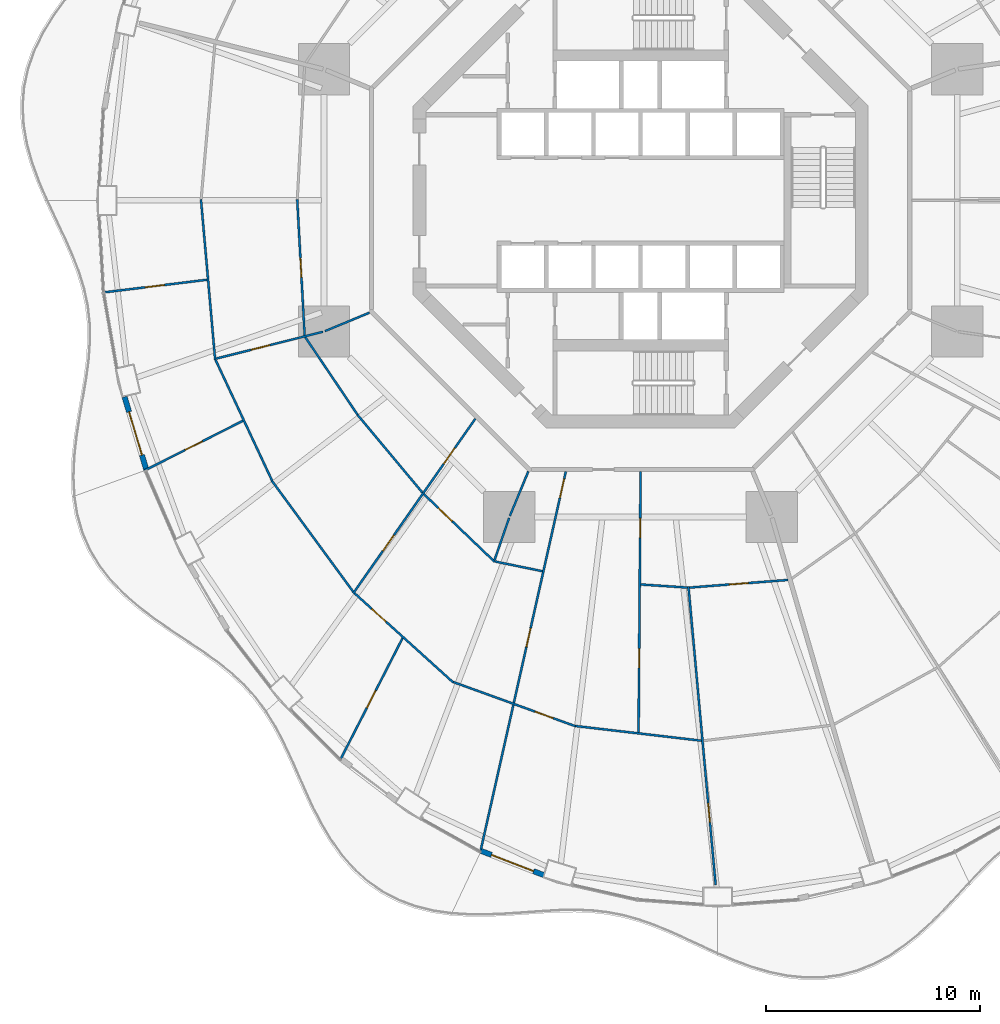
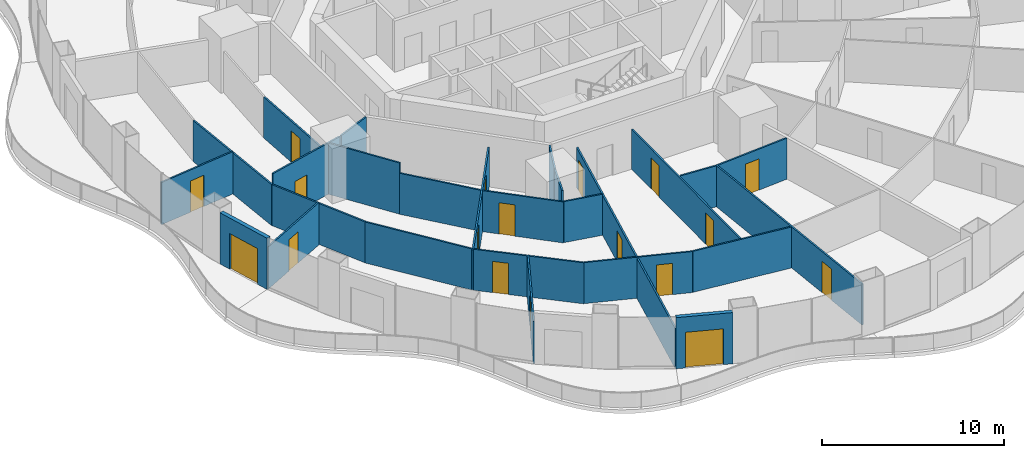
# One storey, part 14 of 22: 26 walls, 18 doors, 18 openings.
"""IFC4 building model written with IfcOpenShell, lengths in metres."""

from ifc_helpers import new_model, si_unit, direction, frame, frame_2d, origin, place, context, subcontext, project, spatial, rectangle, extrude, material, layer, layer_set, type_object, element, fill, save


model = new_model("IFC4")

# Units and contexts
model_context = context("Model", 3, precision=1e-05, world=origin(), true_north=direction((0.0, 1.0)))
body_context = subcontext(model_context, "Body", "Model", "MODEL_VIEW")
ifc_project = project(units=[si_unit("LENGTHUNIT", "METRE"), si_unit("AREAUNIT", "SQUARE_METRE"), si_unit("VOLUMEUNIT", "CUBIC_METRE"), si_unit("PLANEANGLEUNIT", "RADIAN"), si_unit("MASSUNIT", "GRAM", prefix="KILO")], contexts=[model_context])

# Site, building, storey
site_placement = place(None, origin())
site = spatial("IfcSite", under=ifc_project, at=site_placement, CompositionType="ELEMENT")
building_placement = place(site_placement, origin())
building = spatial("IfcBuilding", under=site, at=building_placement, Name="Nagisa Residences", CompositionType="ELEMENT")
storey_placement = place(building_placement, frame((0.0, 0.0, 38.10009765625)))
storey = spatial("IfcBuildingStorey", under=building, at=storey_placement, Name="L08", CompositionType="ELEMENT", Elevation=38.10009765625)

# Wall, opening, door
ifc_material_1 = material(Name="Gypsum board on steel studs", Category="steel")
ifc_layer_1 = layer(ifc_material_1, 0.10009765625)
ifc_layer_set_1 = layer_set([ifc_layer_1], Name="Apartment partition 100")
wall_type_1 = type_object("IfcWallType", Name="Apartment partition 100", PredefinedType="PARTITIONING", material=ifc_layer_set_1)
wall_1_placement = place(storey_placement, frame((-16.032958984375, 0.050048828125, 0.0), z_axis=(0.0, 0.0, 1.0), x_axis=(0.054634315779, -0.998506430395, 0.0)))
wall_1 = element("IfcWall", 1, at=wall_1_placement, inside=storey, type_object=wall_type_1, Name="wall:L08:u54", PredefinedType="PARTITIONING", context=body_context, shape_type="SweptSolid", body=[
    extrude(rectangle(XDim=6.35888671875, YDim=0.10009765625, at=frame_2d((3.179443359375, 0.0))), origin(), (0.0, 0.0, 1.0), 2.755859375),
])
opening_1_placement = place(wall_1_placement, frame((2.75439453125, 0.0, 0.0)))
opening_1 = element("IfcOpeningElement", 2, at=opening_1_placement, cuts=wall_1, Name="Opening L08-U37", PredefinedType="OPENING", context=body_context, shape_type="SweptSolid", body=[
    extrude(rectangle(XDim=0.89990234375, YDim=2.10009765625, at=frame_2d((0.449951171875, 1.050048828125))), frame((0.0, 0.06005859375, 0.0), z_axis=(0.0, -1.0, 0.0), x_axis=(1.0, 0.0, 0.0)), (0.0, 0.0, 1.0), 0.1201171875),
])
ifc_material_2 = material(Name="Timber door set", Category="wood")
door_type_1 = type_object("IfcDoorType", Name="Apartment door 900x2100", OperationType="NOTDEFINED", PredefinedType="DOOR", material=ifc_material_2)
door_1_placement = place(opening_1_placement, origin())
door_1 = element("IfcDoor", 3, at=door_1_placement, inside=storey, type_object=door_type_1, Name="Door to store, Apartment 08B", OperationType="SINGLE_SWING_LEFT", OverallHeight=2.10009765625, OverallWidth=0.89990234375, PredefinedType="DOOR", context=body_context, shape_type="SweptSolid", body=[
    extrude(rectangle(XDim=0.89990234375, YDim=2.10009765625, at=frame_2d((0.449951171875, 1.050048828125))), frame((0.0, 0.02490234375, 0.0), z_axis=(0.0, -1.0, 0.0), x_axis=(1.0, 0.0, 0.0)), (0.0, 0.0, 1.0), 0.050048828125),
])
fill(opening_1, door_1)

# Wall
wall_2_placement = place(storey_placement, frame((-20.527099609375, 0.0498046875, 0.0), z_axis=(0.0, 0.0, 1.0), x_axis=(0.088135127406, -0.996108527881, 0.0)))
element("IfcWall", 4, at=wall_2_placement, inside=storey, type_object=wall_type_1, Name="wall:L08:u55", PredefinedType="PARTITIONING", context=body_context, shape_type="SweptSolid", body=[
    extrude(rectangle(XDim=7.529052734375, YDim=0.10009765625, at=frame_2d((3.7646484375, 0.0))), origin(), (0.0, 0.0, 1.0), 2.755859375),
])

# Wall, opening, door
wall_3_placement = place(storey_placement, frame((-20.244873046875, -3.7060546875, 0.0), z_axis=(0.0, 0.0, 1.0), x_axis=(-0.992575966227, -0.121626277047, 0.0)))
wall_3 = element("IfcWall", 5, at=wall_3_placement, inside=storey, type_object=wall_type_1, Name="wall:L08:u56", PredefinedType="PARTITIONING", context=body_context, shape_type="SweptSolid", body=[
    extrude(rectangle(XDim=4.90380859375, YDim=0.10009765625, at=frame_2d((2.451904296875, 0.0))), origin(), (0.0, 0.0, 1.0), 2.8369140625),
])
opening_2_placement = place(wall_3_placement, frame((2.001708984375, 0.0, 0.0)))
opening_2 = element("IfcOpeningElement", 6, at=opening_2_placement, cuts=wall_3, Name="Opening L08-U36", PredefinedType="OPENING", context=body_context, shape_type="SweptSolid", body=[
    extrude(rectangle(XDim=0.89990234375, YDim=2.10009765625, at=frame_2d((0.449951171875, 1.050048828125))), frame((0.0, 0.06005859375, 0.0), z_axis=(0.0, -1.0, 0.0), x_axis=(1.0, 0.0, 0.0)), (0.0, 0.0, 1.0), 0.1201171875),
])
door_2_placement = place(opening_2_placement, frame((0.89990234375, 0.0, 0.0), x_axis=(-1.0, 0.0, 0.0)))
door_2 = element("IfcDoor", 7, at=door_2_placement, inside=storey, type_object=door_type_1, Name="Door to master bedroom, Apartment 08B", OperationType="SINGLE_SWING_LEFT", OverallHeight=2.10009765625, OverallWidth=0.89990234375, PredefinedType="DOOR", context=body_context, shape_type="SweptSolid", body=[
    extrude(rectangle(XDim=0.89990234375, YDim=2.10009765625, at=frame_2d((0.449951171875, 1.050048828125))), frame((0.0, 0.02490234375, 0.0), z_axis=(0.0, -1.0, 0.0), x_axis=(1.0, 0.0, 0.0)), (0.0, 0.0, 1.0), 0.050048828125),
])
fill(opening_2, door_2)

# Wall
wall_4_placement = place(storey_placement, frame((-12.6572265625, -5.24267578125, 0.0), z_axis=(0.0, 0.0, 1.0), x_axis=(-0.923864733477, -0.382719158442, 0.0)))
element("IfcWall", 8, at=wall_4_placement, inside=storey, type_object=wall_type_1, Name="wall:L08:u57", PredefinedType="PARTITIONING", context=body_context, shape_type="SweptSolid", body=[
    extrude(rectangle(XDim=2.25, YDim=0.10009765625, at=frame_2d((1.125, 0.0))), origin(), (0.0, 0.0, 1.0), 3.43994140625),
])

# Wall, opening, door
wall_5_placement = place(storey_placement, frame((-14.83056640625, -6.135009765625, 0.0), z_axis=(0.0, 0.0, 1.0), x_axis=(-0.96988230015, -0.243574062362, 0.0)))
wall_5 = element("IfcWall", 9, at=wall_5_placement, inside=storey, type_object=wall_type_1, Name="wall:L08:u58", PredefinedType="PARTITIONING", context=body_context, shape_type="SweptSolid", body=[
    extrude(rectangle(XDim=5.14404296875, YDim=0.10009765625, at=frame_2d((2.572021484375, 0.0))), origin(), (0.0, 0.0, 1.0), 3.43994140625),
])
opening_3_placement = place(wall_5_placement, frame((2.561279296875, 0.0, 0.0)))
opening_3 = element("IfcOpeningElement", 10, at=opening_3_placement, cuts=wall_5, Name="Opening L08-U35", PredefinedType="OPENING", context=body_context, shape_type="SweptSolid", body=[
    extrude(rectangle(XDim=0.89990234375, YDim=2.10009765625, at=frame_2d((0.449951171875, 1.050048828125))), frame((0.0, 0.06005859375, 0.0), z_axis=(0.0, -1.0, 0.0), x_axis=(1.0, 0.0, 0.0)), (0.0, 0.0, 1.0), 0.1201171875),
])
door_3_placement = place(opening_3_placement, frame((0.89990234375, 0.0, 0.0), x_axis=(-1.0, 0.0, 0.0)))
door_3 = element("IfcDoor", 11, at=door_3_placement, inside=storey, type_object=door_type_1, Name="Door to dining room, Apartment 08B", OperationType="SINGLE_SWING_RIGHT", OverallHeight=2.10009765625, OverallWidth=0.89990234375, PredefinedType="DOOR", context=body_context, shape_type="SweptSolid", body=[
    extrude(rectangle(XDim=0.89990234375, YDim=2.10009765625, at=frame_2d((0.449951171875, 1.050048828125))), frame((0.0, 0.02490234375, 0.0), z_axis=(0.0, -1.0, 0.0), x_axis=(1.0, 0.0, 0.0)), (0.0, 0.0, 1.0), 0.050048828125),
])
fill(opening_3, door_3)

# Walls
wall_6_placement = place(storey_placement, frame((-15.655029296875, -6.390625, 0.0), z_axis=(0.0, 0.0, 1.0), x_axis=(0.559126445155, -0.82908239538, 0.0)))
element("IfcWall", 12, at=wall_6_placement, inside=storey, type_object=wall_type_1, Name="wall:L08:u59", PredefinedType="PARTITIONING", context=body_context, shape_type="SweptSolid", body=[
    extrude(rectangle(XDim=4.358154296875, YDim=0.10009765625, at=frame_2d((2.17919921875, 0.0))), origin(), (0.0, 0.0, 1.0), 3.43994140625),
])
wall_7_placement = place(storey_placement, frame((-19.8466796875, -7.4453125, 0.0), z_axis=(0.0, 0.0, 1.0), x_axis=(0.423892287987, -0.905712607942, 0.0)))
element("IfcWall", 13, at=wall_7_placement, inside=storey, type_object=wall_type_1, Name="wall:L08:u60", PredefinedType="PARTITIONING", context=body_context, shape_type="SweptSolid", body=[
    extrude(rectangle(XDim=6.237548828125, YDim=0.10009765625, at=frame_2d((3.11865234375, 0.0))), origin(), (0.0, 0.0, 1.0), 2.755859375),
])

# Wall, opening, door
wall_8_placement = place(storey_placement, frame((-18.5693359375, -10.29248046875, 0.0), z_axis=(0.0, 0.0, 1.0), x_axis=(-0.892519131357, -0.451009534446, 0.0)))
wall_8 = element("IfcWall", 14, at=wall_8_placement, inside=storey, type_object=wall_type_1, Name="wall:L08:u61", PredefinedType="PARTITIONING", context=body_context, shape_type="SweptSolid", body=[
    extrude(rectangle(XDim=5.139892578125, YDim=0.10009765625, at=frame_2d((2.56982421875, 0.0))), origin(), (0.0, 0.0, 1.0), 2.8369140625),
])
opening_4_placement = place(wall_8_placement, frame((2.119873046875, 0.0, 0.0)))
opening_4 = element("IfcOpeningElement", 15, at=opening_4_placement, cuts=wall_8, Name="Opening L08-U33", PredefinedType="OPENING", context=body_context, shape_type="SweptSolid", body=[
    extrude(rectangle(XDim=0.89990234375, YDim=2.10009765625, at=frame_2d((0.449951171875, 1.050048828125))), frame((0.0, 0.06005859375, 0.0), z_axis=(0.0, -1.0, 0.0), x_axis=(1.0, 0.0, 0.0)), (0.0, 0.0, 1.0), 0.1201171875),
])
door_4_placement = place(opening_4_placement, frame((0.89990234375, 0.0, 0.0), x_axis=(-1.0, 0.0, 0.0)))
door_4 = element("IfcDoor", 16, at=door_4_placement, inside=storey, type_object=door_type_1, Name="Door to study, Apartment 08B", OperationType="SINGLE_SWING_RIGHT", OverallHeight=2.10009765625, OverallWidth=0.89990234375, PredefinedType="DOOR", context=body_context, shape_type="SweptSolid", body=[
    extrude(rectangle(XDim=0.89990234375, YDim=2.10009765625, at=frame_2d((0.449951171875, 1.050048828125))), frame((0.0, 0.02490234375, 0.0), z_axis=(0.0, -1.0, 0.0), x_axis=(1.0, 0.0, 0.0)), (0.0, 0.0, 1.0), 0.050048828125),
])
fill(opening_4, door_4)

# Walls
wall_9_placement = place(storey_placement, frame((-13.222412109375, -10.0068359375, 0.0), z_axis=(0.0, 0.0, 1.0), x_axis=(0.640807748916, -0.767701393075, 0.0)))
element("IfcWall", 17, at=wall_9_placement, inside=storey, type_object=wall_type_1, Name="wall:L08:u62", PredefinedType="PARTITIONING", context=body_context, shape_type="SweptSolid", body=[
    extrude(rectangle(XDim=4.73681640625, YDim=0.10009765625, at=frame_2d((2.368408203125, 0.0))), origin(), (0.0, 0.0, 1.0), 2.755859375),
])
wall_10_placement = place(storey_placement, frame((-17.2109375, -13.099609375, 0.0), z_axis=(0.0, 0.0, 1.0), x_axis=(0.591206785834, -0.806520016109, 0.0)))
element("IfcWall", 18, at=wall_10_placement, inside=storey, type_object=wall_type_1, Name="wall:L08:u63", PredefinedType="PARTITIONING", context=body_context, shape_type="SweptSolid", body=[
    extrude(rectangle(XDim=6.409912109375, YDim=0.10009765625, at=frame_2d((3.205078125, 0.0))), origin(), (0.0, 0.0, 1.0), 2.755859375),
])

# Wall, openings, doors
wall_11_placement = place(storey_placement, frame((-7.71533203125, -10.193359375, 0.0), z_axis=(0.0, 0.0, 1.0), x_axis=(-0.573126502256, -0.819466907454, 0.0)))
wall_11 = element("IfcWall", 19, at=wall_11_placement, inside=storey, type_object=wall_type_1, Name="wall:L08:u64", PredefinedType="PARTITIONING", context=body_context, shape_type="SweptSolid", body=[
    extrude(rectangle(XDim=9.954345703125, YDim=0.10009765625, at=frame_2d((4.97705078125, 0.0))), origin(), (0.0, 0.0, 1.0), 2.68701171875),
])
opening_5_placement = place(wall_11_placement, frame((6.630615234375, 0.0, 0.0)))
opening_5 = element("IfcOpeningElement", 20, at=opening_5_placement, cuts=wall_11, Name="Opening L08-U32", PredefinedType="OPENING", context=body_context, shape_type="SweptSolid", body=[
    extrude(rectangle(XDim=0.89990234375, YDim=2.10009765625, at=frame_2d((0.449951171875, 1.050048828125))), frame((0.0, 0.06005859375, 0.0), z_axis=(0.0, -1.0, 0.0), x_axis=(1.0, 0.0, 0.0)), (0.0, 0.0, 1.0), 0.1201171875),
])
opening_6_placement = place(wall_11_placement, frame((1.678466796875, 0.0, 0.0)))
opening_6 = element("IfcOpeningElement", 21, at=opening_6_placement, cuts=wall_11, Name="Opening L08-U34", PredefinedType="OPENING", context=body_context, shape_type="SweptSolid", body=[
    extrude(rectangle(XDim=0.89990234375, YDim=2.10009765625, at=frame_2d((0.449951171875, 1.050048828125))), frame((0.0, 0.06005859375, 0.0), z_axis=(0.0, -1.0, 0.0), x_axis=(1.0, 0.0, 0.0)), (0.0, 0.0, 1.0), 0.1201171875),
])
door_5_placement = place(opening_5_placement, frame((0.89990234375, 0.0, 0.0), x_axis=(-1.0, 0.0, 0.0)))
door_5 = element("IfcDoor", 22, at=door_5_placement, inside=storey, type_object=door_type_1, Name="Door to family room, Apartment 08B", OperationType="SINGLE_SWING_LEFT", OverallHeight=2.10009765625, OverallWidth=0.89990234375, PredefinedType="DOOR", context=body_context, shape_type="SweptSolid", body=[
    extrude(rectangle(XDim=0.89990234375, YDim=2.10009765625, at=frame_2d((0.449951171875, 1.050048828125))), frame((0.0, 0.02490234375, 0.0), z_axis=(0.0, -1.0, 0.0), x_axis=(1.0, 0.0, 0.0)), (0.0, 0.0, 1.0), 0.050048828125),
])
fill(opening_5, door_5)
door_6_placement = place(opening_6_placement, frame((0.89990234375, 0.0, 0.0), x_axis=(-1.0, 0.0, 0.0)))
door_6 = element("IfcDoor", 23, at=door_6_placement, inside=storey, type_object=door_type_1, Name="Door to store, Apartment 08B", OperationType="SINGLE_SWING_LEFT", OverallHeight=2.10009765625, OverallWidth=0.89990234375, PredefinedType="DOOR", context=body_context, shape_type="SweptSolid", body=[
    extrude(rectangle(XDim=0.89990234375, YDim=2.10009765625, at=frame_2d((0.449951171875, 1.050048828125))), frame((0.0, 0.02490234375, 0.0), z_axis=(0.0, -1.0, 0.0), x_axis=(1.0, 0.0, 0.0)), (0.0, 0.0, 1.0), 0.050048828125),
])
fill(opening_6, door_6)

# Wall, opening, door
wall_12_placement = place(storey_placement, frame((-10.118896484375, -13.716064453125, 0.0), z_axis=(0.0, 0.0, 1.0), x_axis=(0.722763212502, -0.69109575216, 0.0)))
wall_12 = element("IfcWall", 24, at=wall_12_placement, inside=storey, type_object=wall_type_1, Name="wall:L08:u65", PredefinedType="PARTITIONING", context=body_context, shape_type="SweptSolid", body=[
    extrude(rectangle(XDim=4.587158203125, YDim=0.10009765625, at=frame_2d((2.29345703125, 0.0))), origin(), (0.0, 0.0, 1.0), 2.755859375),
])
opening_7_placement = place(wall_12_placement, frame((0.9375, 0.0, 0.0)))
opening_7 = element("IfcOpeningElement", 25, at=opening_7_placement, cuts=wall_12, Name="Opening L08-U31", PredefinedType="OPENING", context=body_context, shape_type="SweptSolid", body=[
    extrude(rectangle(XDim=0.89990234375, YDim=2.10009765625, at=frame_2d((0.449951171875, 1.050048828125))), frame((0.0, 0.06005859375, 0.0), z_axis=(0.0, -1.0, 0.0), x_axis=(1.0, 0.0, 0.0)), (0.0, 0.0, 1.0), 0.1201171875),
])
door_7_placement = place(opening_7_placement, origin())
door_7 = element("IfcDoor", 26, at=door_7_placement, inside=storey, type_object=door_type_1, Name="Door to laundry, Apartment 08B", OperationType="SINGLE_SWING_LEFT", OverallHeight=2.10009765625, OverallWidth=0.89990234375, PredefinedType="DOOR", context=body_context, shape_type="SweptSolid", body=[
    extrude(rectangle(XDim=0.89990234375, YDim=2.10009765625, at=frame_2d((0.449951171875, 1.050048828125))), frame((0.0, 0.02490234375, 0.0), z_axis=(0.0, -1.0, 0.0), x_axis=(1.0, 0.0, 0.0)), (0.0, 0.0, 1.0), 0.050048828125),
])
fill(opening_7, door_7)

wall_13_placement = place(storey_placement, frame((-13.354736328125, -18.34326171875, 0.0), z_axis=(0.0, 0.0, 1.0), x_axis=(0.741720189244, -0.670709445936, 0.0)))
wall_13 = element("IfcWall", 27, at=wall_13_placement, inside=storey, type_object=wall_type_1, Name="wall:L08:u66", PredefinedType="PARTITIONING", context=body_context, shape_type="SweptSolid", body=[
    extrude(rectangle(XDim=6.209228515625, YDim=0.10009765625, at=frame_2d((3.1044921875, 0.0))), origin(), (0.0, 0.0, 1.0), 2.755859375),
])
opening_8_placement = place(wall_13_placement, frame((1.077392578125, 0.0, 0.0)))
opening_8 = element("IfcOpeningElement", 28, at=opening_8_placement, cuts=wall_13, Name="Opening L08-U27", PredefinedType="OPENING", context=body_context, shape_type="SweptSolid", body=[
    extrude(rectangle(XDim=0.89990234375, YDim=2.10009765625, at=frame_2d((0.449951171875, 1.050048828125))), frame((0.0, 0.06005859375, 0.0), z_axis=(0.0, -1.0, 0.0), x_axis=(1.0, 0.0, 0.0)), (0.0, 0.0, 1.0), 0.1201171875),
])
door_8_placement = place(opening_8_placement, frame((0.89990234375, 0.0, 0.0), x_axis=(-1.0, 0.0, 0.0)))
door_8 = element("IfcDoor", 29, at=door_8_placement, inside=storey, type_object=door_type_1, Name="Door to family room, Apartment 08B", OperationType="SINGLE_SWING_RIGHT", OverallHeight=2.10009765625, OverallWidth=0.89990234375, PredefinedType="DOOR", context=body_context, shape_type="SweptSolid", body=[
    extrude(rectangle(XDim=0.89990234375, YDim=2.10009765625, at=frame_2d((0.449951171875, 1.050048828125))), frame((0.0, 0.02490234375, 0.0), z_axis=(0.0, -1.0, 0.0), x_axis=(1.0, 0.0, 0.0)), (0.0, 0.0, 1.0), 0.050048828125),
])
fill(opening_8, door_8)

wall_14_placement = place(storey_placement, frame((-11.11181640625, -20.4365234375, 0.0), z_axis=(0.0, 0.0, 1.0), x_axis=(-0.455901610863, -0.890030179945, 0.0)))
wall_14 = element("IfcWall", 30, at=wall_14_placement, inside=storey, type_object=wall_type_1, Name="wall:L08:u67", PredefinedType="PARTITIONING", context=body_context, shape_type="SweptSolid", body=[
    extrude(rectangle(XDim=6.413818359375, YDim=0.10009765625, at=frame_2d((3.20703125, 0.0))), origin(), (0.0, 0.0, 1.0), 2.8369140625),
])
opening_9_placement = place(wall_14_placement, frame((2.7568359375, 0.0, 0.0)))
opening_9 = element("IfcOpeningElement", 31, at=opening_9_placement, cuts=wall_14, Name="Opening L08-U28", PredefinedType="OPENING", context=body_context, shape_type="SweptSolid", body=[
    extrude(rectangle(XDim=0.89990234375, YDim=2.10009765625, at=frame_2d((0.449951171875, 1.050048828125))), frame((0.0, 0.06005859375, 0.0), z_axis=(0.0, -1.0, 0.0), x_axis=(1.0, 0.0, 0.0)), (0.0, 0.0, 1.0), 0.1201171875),
])
door_9_placement = place(opening_9_placement, origin())
door_9 = element("IfcDoor", 32, at=door_9_placement, inside=storey, type_object=door_type_1, Name="Door to master bedroom, Apartment 08B", OperationType="SINGLE_SWING_RIGHT", OverallHeight=2.10009765625, OverallWidth=0.89990234375, PredefinedType="DOOR", context=body_context, shape_type="SweptSolid", body=[
    extrude(rectangle(XDim=0.89990234375, YDim=2.10009765625, at=frame_2d((0.449951171875, 1.050048828125))), frame((0.0, 0.02490234375, 0.0), z_axis=(0.0, -1.0, 0.0), x_axis=(1.0, 0.0, 0.0)), (0.0, 0.0, 1.0), 0.050048828125),
])
fill(opening_9, door_9)

# Walls
wall_15_placement = place(storey_placement, frame((-5.24267578125, -12.6572265625, 0.0), z_axis=(0.0, 0.0, 1.0), x_axis=(-0.382719158442, -0.923864733477, 0.0)))
element("IfcWall", 33, at=wall_15_placement, inside=storey, type_object=wall_type_1, Name="wall:L08:u68", PredefinedType="PARTITIONING", context=body_context, shape_type="SweptSolid", body=[
    extrude(rectangle(XDim=2.25, YDim=0.10009765625, at=frame_2d((1.125, 0.0))), origin(), (0.0, 0.0, 1.0), 3.43994140625),
])
wall_16_placement = place(storey_placement, frame((-6.139404296875, -14.829833984375, 0.0), z_axis=(0.0, 0.0, 1.0), x_axis=(-0.327246993321, -0.944938836837, 0.0)))
element("IfcWall", 34, at=wall_16_placement, inside=storey, type_object=wall_type_1, Name="wall:L08:u69", PredefinedType="PARTITIONING", context=body_context, shape_type="SweptSolid", body=[
    extrude(rectangle(XDim=2.089599609375, YDim=0.10009765625, at=frame_2d((1.044921875, 0.0))), origin(), (0.0, 0.0, 1.0), 3.43994140625),
])
wall_17_placement = place(storey_placement, frame((-6.79052734375, -16.861572265625, 0.0), z_axis=(0.0, 0.0, 1.0), x_axis=(0.979581941859, -0.201045316246, 0.0)))
element("IfcWall", 35, at=wall_17_placement, inside=storey, type_object=wall_type_1, Name="wall:L08:u70", PredefinedType="PARTITIONING", context=body_context, shape_type="SweptSolid", body=[
    extrude(rectangle(XDim=2.25634765625, YDim=0.10009765625, at=frame_2d((1.128173828125, 0.0))), origin(), (0.0, 0.0, 1.0), 2.755859375),
])

# Wall, opening, door
wall_18_placement = place(storey_placement, frame((-8.7392578125, -22.4912109375, 0.0), z_axis=(0.0, 0.0, 1.0), x_axis=(0.940401691072, -0.340065669288, 0.0)))
wall_18 = element("IfcWall", 36, at=wall_18_placement, inside=storey, type_object=wall_type_1, Name="wall:L08:u71", PredefinedType="PARTITIONING", context=body_context, shape_type="SweptSolid", body=[
    extrude(rectangle(XDim=6.067138671875, YDim=0.10009765625, at=frame_2d((3.03369140625, 0.0))), origin(), (0.0, 0.0, 1.0), 2.755859375),
])
opening_10_placement = place(wall_18_placement, frame((4.05029296875, 0.0, 0.0)))
opening_10 = element("IfcOpeningElement", 37, at=opening_10_placement, cuts=wall_18, Name="Opening L08-U29", PredefinedType="OPENING", context=body_context, shape_type="SweptSolid", body=[
    extrude(rectangle(XDim=0.89990234375, YDim=2.10009765625, at=frame_2d((0.449951171875, 1.050048828125))), frame((0.0, 0.06005859375, 0.0), z_axis=(0.0, -1.0, 0.0), x_axis=(1.0, 0.0, 0.0)), (0.0, 0.0, 1.0), 0.1201171875),
])
door_10_placement = place(opening_10_placement, frame((0.89990234375, 0.0, 0.0), x_axis=(-1.0, 0.0, 0.0)))
door_10 = element("IfcDoor", 38, at=door_10_placement, inside=storey, type_object=door_type_1, Name="Door to dining room, Apartment 08B", OperationType="SINGLE_SWING_RIGHT", OverallHeight=2.10009765625, OverallWidth=0.89990234375, PredefinedType="DOOR", context=body_context, shape_type="SweptSolid", body=[
    extrude(rectangle(XDim=0.89990234375, YDim=2.10009765625, at=frame_2d((0.449951171875, 1.050048828125))), frame((0.0, 0.02490234375, 0.0), z_axis=(0.0, -1.0, 0.0), x_axis=(1.0, 0.0, 0.0)), (0.0, 0.0, 1.0), 0.050048828125),
])
fill(opening_10, door_10)

# Wall, openings, doors
wall_19_placement = place(storey_placement, frame((-3.49169921875, -12.662353515625, 0.0), z_axis=(0.0, 0.0, 1.0), x_axis=(-0.219268088006, -0.975664648115, 0.0)))
wall_19 = element("IfcWall", 39, at=wall_19_placement, inside=storey, type_object=wall_type_1, Name="wall:L08:u72", PredefinedType="PARTITIONING", context=body_context, shape_type="SweptSolid", body=[
    extrude(rectangle(XDim=18.230224609375, YDim=0.10009765625, at=frame_2d((9.115234375, 0.0))), origin(), (0.0, 0.0, 1.0), 2.68701171875),
])
opening_11_placement = place(wall_19_placement, frame((0.35009765625, 0.0, 0.0)))
opening_11 = element("IfcOpeningElement", 40, at=opening_11_placement, cuts=wall_19, Name="Opening L08-U22", PredefinedType="OPENING", context=body_context, shape_type="SweptSolid", body=[
    extrude(rectangle(XDim=0.89990234375, YDim=2.10009765625, at=frame_2d((0.449951171875, 1.050048828125))), frame((0.0, 0.06005859375, 0.0), z_axis=(0.0, -1.0, 0.0), x_axis=(1.0, 0.0, 0.0)), (0.0, 0.0, 1.0), 0.1201171875),
])
opening_12_placement = place(wall_19_placement, frame((7.49658203125, 0.0, 0.0)))
opening_12 = element("IfcOpeningElement", 41, at=opening_12_placement, cuts=wall_19, Name="Opening L08-U24", PredefinedType="OPENING", context=body_context, shape_type="SweptSolid", body=[
    extrude(rectangle(XDim=0.89990234375, YDim=2.10009765625, at=frame_2d((0.449951171875, 1.050048828125))), frame((0.0, 0.06005859375, 0.0), z_axis=(0.0, -1.0, 0.0), x_axis=(1.0, 0.0, 0.0)), (0.0, 0.0, 1.0), 0.1201171875),
])
door_11_placement = place(opening_11_placement, frame((0.89990234375, 0.0, 0.0), x_axis=(-1.0, 0.0, 0.0)))
door_11 = element("IfcDoor", 42, at=door_11_placement, inside=storey, type_object=door_type_1, Name="Door to family bathroom, Apartment 08B", OperationType="SINGLE_SWING_LEFT", OverallHeight=2.10009765625, OverallWidth=0.89990234375, PredefinedType="DOOR", context=body_context, shape_type="SweptSolid", body=[
    extrude(rectangle(XDim=0.89990234375, YDim=2.10009765625, at=frame_2d((0.449951171875, 1.050048828125))), frame((0.0, 0.02490234375, 0.0), z_axis=(0.0, -1.0, 0.0), x_axis=(1.0, 0.0, 0.0)), (0.0, 0.0, 1.0), 0.050048828125),
])
fill(opening_11, door_11)
door_12_placement = place(opening_12_placement, frame((0.89990234375, 0.0, 0.0), x_axis=(-1.0, 0.0, 0.0)))
door_12 = element("IfcDoor", 43, at=door_12_placement, inside=storey, type_object=door_type_1, Name="Door to dining room, Apartment 08B", OperationType="SINGLE_SWING_LEFT", OverallHeight=2.10009765625, OverallWidth=0.89990234375, PredefinedType="DOOR", context=body_context, shape_type="SweptSolid", body=[
    extrude(rectangle(XDim=0.89990234375, YDim=2.10009765625, at=frame_2d((0.449951171875, 1.050048828125))), frame((0.0, 0.02490234375, 0.0), z_axis=(0.0, -1.0, 0.0), x_axis=(1.0, 0.0, 0.0)), (0.0, 0.0, 1.0), 0.050048828125),
])
fill(opening_12, door_12)

# Wall
wall_20_placement = place(storey_placement, frame((-3.03125, -24.543212890625, 0.0), z_axis=(0.0, 0.0, 1.0), x_axis=(0.993255612046, -0.115945198862, 0.0)))
element("IfcWall", 44, at=wall_20_placement, inside=storey, type_object=wall_type_1, Name="wall:L08:u73", PredefinedType="PARTITIONING", context=body_context, shape_type="SweptSolid", body=[
    extrude(rectangle(XDim=5.91259765625, YDim=0.10009765625, at=frame_2d((2.956298828125, 0.0))), origin(), (0.0, 0.0, 1.0), 2.755859375),
])

# Wall, openings, doors
wall_21_placement = place(storey_placement, frame((-0.000732421875, -12.664794921875, 0.0), z_axis=(0.0, 0.0, 1.0), x_axis=(-0.007702417287, -0.999970335944, 0.0)))
wall_21 = element("IfcWall", 45, at=wall_21_placement, inside=storey, type_object=wall_type_1, Name="wall:L08:u74", PredefinedType="PARTITIONING", context=body_context, shape_type="SweptSolid", body=[
    extrude(rectangle(XDim=12.17138671875, YDim=0.10009765625, at=frame_2d((6.085693359375, 0.0))), origin(), (0.0, 0.0, 1.0), 2.68701171875),
])
opening_13_placement = place(wall_21_placement, frame((2.182861328125, 0.0, 0.0)))
opening_13 = element("IfcOpeningElement", 46, at=opening_13_placement, cuts=wall_21, Name="Opening L08-U23", PredefinedType="OPENING", context=body_context, shape_type="SweptSolid", body=[
    extrude(rectangle(XDim=0.89990234375, YDim=2.10009765625, at=frame_2d((0.449951171875, 1.050048828125))), frame((0.0, 0.06005859375, 0.0), z_axis=(0.0, -1.0, 0.0), x_axis=(1.0, 0.0, 0.0)), (0.0, 0.0, 1.0), 0.1201171875),
])
opening_14_placement = place(wall_21_placement, frame((8.268798828125, 0.0, 0.0)))
opening_14 = element("IfcOpeningElement", 47, at=opening_14_placement, cuts=wall_21, Name="Opening L08-U25", PredefinedType="OPENING", context=body_context, shape_type="SweptSolid", body=[
    extrude(rectangle(XDim=0.89990234375, YDim=2.10009765625, at=frame_2d((0.449951171875, 1.050048828125))), frame((0.0, 0.06005859375, 0.0), z_axis=(0.0, -1.0, 0.0), x_axis=(1.0, 0.0, 0.0)), (0.0, 0.0, 1.0), 0.1201171875),
])
door_13_placement = place(opening_13_placement, origin())
door_13 = element("IfcDoor", 48, at=door_13_placement, inside=storey, type_object=door_type_1, Name="Door to laundry, Apartment 08B", OperationType="SINGLE_SWING_LEFT", OverallHeight=2.10009765625, OverallWidth=0.89990234375, PredefinedType="DOOR", context=body_context, shape_type="SweptSolid", body=[
    extrude(rectangle(XDim=0.89990234375, YDim=2.10009765625, at=frame_2d((0.449951171875, 1.050048828125))), frame((0.0, 0.02490234375, 0.0), z_axis=(0.0, -1.0, 0.0), x_axis=(1.0, 0.0, 0.0)), (0.0, 0.0, 1.0), 0.050048828125),
])
fill(opening_13, door_13)
door_14_placement = place(opening_14_placement, origin())
door_14 = element("IfcDoor", 49, at=door_14_placement, inside=storey, type_object=door_type_1, Name="Door to family bathroom, Apartment 08B", OperationType="SINGLE_SWING_LEFT", OverallHeight=2.10009765625, OverallWidth=0.89990234375, PredefinedType="DOOR", context=body_context, shape_type="SweptSolid", body=[
    extrude(rectangle(XDim=0.89990234375, YDim=2.10009765625, at=frame_2d((0.449951171875, 1.050048828125))), frame((0.0, 0.02490234375, 0.0), z_axis=(0.0, -1.0, 0.0), x_axis=(1.0, 0.0, 0.0)), (0.0, 0.0, 1.0), 0.050048828125),
])
fill(opening_14, door_14)

# Wall
wall_22_placement = place(storey_placement, frame((0.008544921875, -17.933837890625, 0.0), z_axis=(0.0, 0.0, 1.0), x_axis=(0.997794542617, -0.066378089183, 0.0)))
element("IfcWall", 50, at=wall_22_placement, inside=storey, type_object=wall_type_1, Name="wall:L08:u75", PredefinedType="PARTITIONING", context=body_context, shape_type="SweptSolid", body=[
    extrude(rectangle(XDim=2.184814453125, YDim=0.10009765625, at=frame_2d((1.09228515625, 0.0))), origin(), (0.0, 0.0, 1.0), 2.755859375),
])

# Wall, opening, door
wall_23_placement = place(storey_placement, frame((2.23388671875, -18.032470703125, 0.0), z_axis=(0.0, 0.0, 1.0), x_axis=(0.090891502968, -0.995860800859, 0.0)))
wall_23 = element("IfcWall", 51, at=wall_23_placement, inside=storey, type_object=wall_type_1, Name="wall:L08:u76", PredefinedType="PARTITIONING", context=body_context, shape_type="SweptSolid", body=[
    extrude(rectangle(XDim=13.983642578125, YDim=0.10009765625, at=frame_2d((6.99169921875, 0.0))), origin(), (0.0, 0.0, 1.0), 2.755859375),
])
opening_15_placement = place(wall_23_placement, frame((10.157958984375, 0.0, 0.0)))
opening_15 = element("IfcOpeningElement", 52, at=opening_15_placement, cuts=wall_23, Name="Opening L08-U30", PredefinedType="OPENING", context=body_context, shape_type="SweptSolid", body=[
    extrude(rectangle(XDim=0.89990234375, YDim=2.10009765625, at=frame_2d((0.449951171875, 1.050048828125))), frame((0.0, 0.06005859375, 0.0), z_axis=(0.0, -1.0, 0.0), x_axis=(1.0, 0.0, 0.0)), (0.0, 0.0, 1.0), 0.1201171875),
])
door_15_placement = place(opening_15_placement, origin())
door_15 = element("IfcDoor", 53, at=door_15_placement, inside=storey, type_object=door_type_1, Name="Door to master bedroom, Apartment 08B", OperationType="SINGLE_SWING_RIGHT", OverallHeight=2.10009765625, OverallWidth=0.89990234375, PredefinedType="DOOR", context=body_context, shape_type="SweptSolid", body=[
    extrude(rectangle(XDim=0.89990234375, YDim=2.10009765625, at=frame_2d((0.449951171875, 1.050048828125))), frame((0.0, 0.02490234375, 0.0), z_axis=(0.0, -1.0, 0.0), x_axis=(1.0, 0.0, 0.0)), (0.0, 0.0, 1.0), 0.050048828125),
])
fill(opening_15, door_15)

wall_24_placement = place(storey_placement, frame((2.288330078125, -18.078369140625, 0.0), z_axis=(0.0, 0.0, 1.0), x_axis=(0.99701850123, 0.077162868047, 0.0)))
wall_24 = element("IfcWall", 54, at=wall_24_placement, inside=storey, type_object=wall_type_1, Name="wall:L08:u77", PredefinedType="PARTITIONING", context=body_context, shape_type="SweptSolid", body=[
    extrude(rectangle(XDim=4.603515625, YDim=0.10009765625, at=frame_2d((2.3017578125, 0.0))), origin(), (0.0, 0.0, 1.0), 2.755859375),
])
opening_16_placement = place(wall_24_placement, frame((1.851806640625, 0.0, 0.0)))
opening_16 = element("IfcOpeningElement", 55, at=opening_16_placement, cuts=wall_24, Name="Opening L08-U26", PredefinedType="OPENING", context=body_context, shape_type="SweptSolid", body=[
    extrude(rectangle(XDim=0.89990234375, YDim=2.10009765625, at=frame_2d((0.449951171875, 1.050048828125))), frame((0.0, 0.06005859375, 0.0), z_axis=(0.0, -1.0, 0.0), x_axis=(1.0, 0.0, 0.0)), (0.0, 0.0, 1.0), 0.1201171875),
])
door_16_placement = place(opening_16_placement, frame((0.89990234375, 0.0, 0.0), x_axis=(-1.0, 0.0, 0.0)))
door_16 = element("IfcDoor", 56, at=door_16_placement, inside=storey, type_object=door_type_1, Name="Door to kitchen, Apartment 08B", OperationType="SINGLE_SWING_LEFT", OverallHeight=2.10009765625, OverallWidth=0.89990234375, PredefinedType="DOOR", context=body_context, shape_type="SweptSolid", body=[
    extrude(rectangle(XDim=0.89990234375, YDim=2.10009765625, at=frame_2d((0.449951171875, 1.050048828125))), frame((0.0, 0.02490234375, 0.0), z_axis=(0.0, -1.0, 0.0), x_axis=(1.0, 0.0, 0.0)), (0.0, 0.0, 1.0), 0.050048828125),
])
fill(opening_16, door_16)

ifc_material_3 = material(Name="Precast concrete C40/50", Category="concrete")
ifc_layer_2 = layer(ifc_material_3, 0.25)
ifc_layer_set_2 = layer_set([ifc_layer_2], Name="BALCONY DOOR WALL 250")
wall_type_2 = type_object("IfcWallType", Name="BALCONY DOOR WALL 250", PredefinedType="SOLIDWALL", material=ifc_layer_set_2)
wall_25_placement = place(storey_placement, frame((-23.07275390625, -12.5927734375, 0.0), z_axis=(0.0, 0.0, 1.0), x_axis=(-0.285871309426, 0.958268018065, 0.0)))
wall_25 = element("IfcWall", 57, at=wall_25_placement, inside=storey, type_object=wall_type_2, Name="wall:L08:bay26", PredefinedType="SOLIDWALL", context=body_context, shape_type="SweptSolid", body=[
    extrude(rectangle(XDim=3.5654296875, YDim=0.25, at=frame_2d((1.78271484375, 0.0))), origin(), (0.0, 0.0, 1.0), 3.43994140625),
])
opening_17_placement = place(wall_25_placement, frame((0.732666015625, 0.0, 0.0)))
opening_17 = element("IfcOpeningElement", 58, at=opening_17_placement, cuts=wall_25, Name="Opening BD-L08-09", PredefinedType="OPENING", context=body_context, shape_type="SweptSolid", body=[
    extrude(rectangle(XDim=2.10009765625, YDim=2.39990234375, at=frame_2d((1.050048828125, 1.199951171875))), frame((0.0, 0.135009765625, 0.0), z_axis=(0.0, -1.0, 0.0), x_axis=(1.0, 0.0, 0.0)), (0.0, 0.0, 1.0), 0.27001953125),
])
ifc_material_4 = material(Name="Aluminium and clear glass", Category="aluminium")
door_type_2 = type_object("IfcDoorType", Name="BALCONY SLIDING DOOR 2100x2400", OperationType="SLIDING_TO_LEFT", PredefinedType="DOOR", material=ifc_material_4)
door_17_placement = place(opening_17_placement, origin())
door_17 = element("IfcDoor", 59, at=door_17_placement, inside=storey, type_object=door_type_2, Name="door:L08:bay26", OperationType="SLIDING_TO_LEFT", OverallHeight=2.39990234375, OverallWidth=2.10009765625, PredefinedType="DOOR", context=body_context, shape_type="SweptSolid", body=[
    extrude(rectangle(XDim=2.10009765625, YDim=2.39990234375, at=frame_2d((1.050048828125, 1.199951171875))), frame((0.0, 0.02490234375, 0.0), z_axis=(0.0, -1.0, 0.0), x_axis=(1.0, 0.0, 0.0)), (0.0, 0.0, 1.0), 0.050048828125),
])
fill(opening_17, door_17)

wall_26_placement = place(storey_placement, frame((-4.513671875, -31.5068359375, 0.0), z_axis=(0.0, 0.0, 1.0), x_axis=(-0.932809381943, 0.360370166577, 0.0)))
wall_26 = element("IfcWall", 60, at=wall_26_placement, inside=storey, type_object=wall_type_2, Name="wall:L08:bay33", PredefinedType="SOLIDWALL", context=body_context, shape_type="SweptSolid", body=[
    extrude(rectangle(XDim=3.15087890625, YDim=0.25, at=frame_2d((1.575439453125, 0.0))), origin(), (0.0, 0.0, 1.0), 3.43994140625),
])
opening_18_placement = place(wall_26_placement, frame((0.525390625, 0.0, 0.0)))
opening_18 = element("IfcOpeningElement", 61, at=opening_18_placement, cuts=wall_26, Name="Opening BD-L08-12", PredefinedType="OPENING", context=body_context, shape_type="SweptSolid", body=[
    extrude(rectangle(XDim=2.10009765625, YDim=2.39990234375, at=frame_2d((1.050048828125, 1.199951171875))), frame((0.0, 0.135009765625, 0.0), z_axis=(0.0, -1.0, 0.0), x_axis=(1.0, 0.0, 0.0)), (0.0, 0.0, 1.0), 0.27001953125),
])
door_18_placement = place(opening_18_placement, origin())
door_18 = element("IfcDoor", 62, at=door_18_placement, inside=storey, type_object=door_type_2, Name="door:L08:bay33", OperationType="SLIDING_TO_LEFT", OverallHeight=2.39990234375, OverallWidth=2.10009765625, PredefinedType="DOOR", context=body_context, shape_type="SweptSolid", body=[
    extrude(rectangle(XDim=2.10009765625, YDim=2.39990234375, at=frame_2d((1.050048828125, 1.199951171875))), frame((0.0, 0.02490234375, 0.0), z_axis=(0.0, -1.0, 0.0), x_axis=(1.0, 0.0, 0.0)), (0.0, 0.0, 1.0), 0.050048828125),
])
fill(opening_18, door_18)

save(model, "model.ifc")
